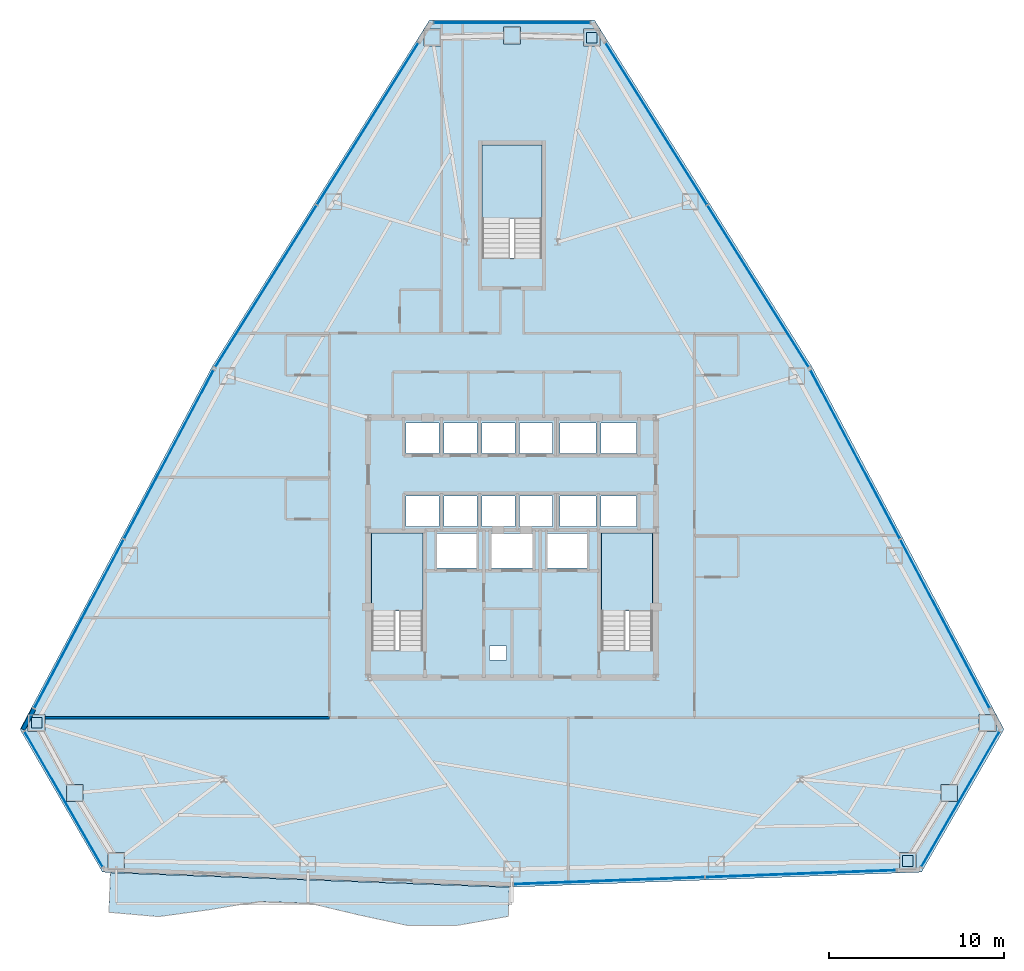
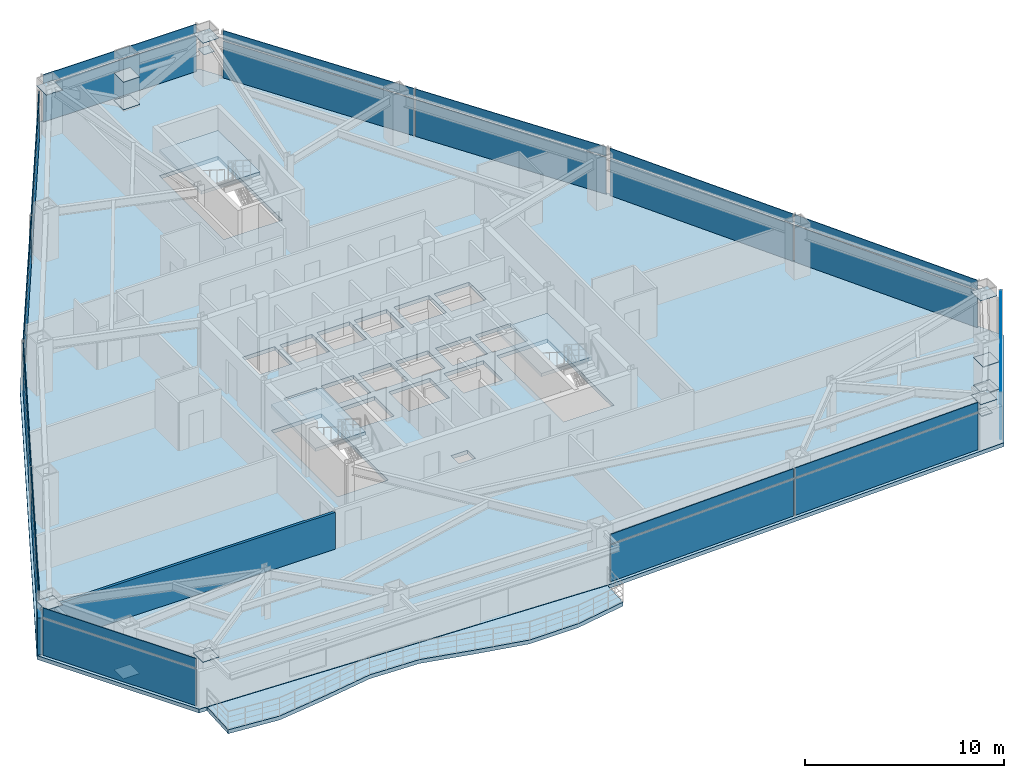
# One storey, part 8 of 13: 41 plates, 5 slabs, 2 walls, 11 elements without a shape of their own.
"""IFC4 building model written with IfcOpenShell, lengths in metres."""

from ifc_helpers import new_model, si_unit, direction, frame, frame_2d, origin, origin_2d, place, context, subcontext, project, spatial, polyline, rectangle, outline, extrude, source, transform, mapped, material, layer, layer_set, type_object, type_shapes, element, aggregate, save


model = new_model("IFC4")

# Units and contexts
model_context = context("Model", 3, precision=1e-05, world=origin(), true_north=direction((0.0, 1.0)))
body_context = subcontext(model_context, "Body", "Model", "MODEL_VIEW")
ifc_project = project(units=[si_unit("LENGTHUNIT", "METRE"), si_unit("AREAUNIT", "SQUARE_METRE"), si_unit("VOLUMEUNIT", "CUBIC_METRE"), si_unit("PLANEANGLEUNIT", "RADIAN"), si_unit("MASSUNIT", "GRAM", prefix="KILO")], contexts=[model_context])

# Site, building, storey
site_placement = place(None, origin())
site = spatial("IfcSite", under=ifc_project, at=site_placement, CompositionType="ELEMENT")
building_placement = place(site_placement, origin())
building = spatial("IfcBuilding", under=site, at=building_placement, Name="Varakhsha Concourse Tower", CompositionType="ELEMENT")
storey_placement = place(building_placement, frame((0.0, 0.0, 95.800048828125)))
storey = spatial("IfcBuildingStorey", under=building, at=storey_placement, Name="L27", CompositionType="ELEMENT", Elevation=95.800048828125)

# Slab
ifc_material_1 = material(Name="Concrete fc 45 MPa", Category="concrete")
ifc_layer_1 = layer(ifc_material_1, 0.22998046875, Name="SL-FLR-230")
ifc_layer_set_1 = layer_set([ifc_layer_1], Name="Concrete fc 45 MPa")
slab_type_1 = type_object("IfcSlabType", Name="SL-FLR-230", PredefinedType="FLOOR", material=ifc_layer_set_1)
slab_1_placement = place(storey_placement, frame((0.0, 0.0, -0.22998046875)))
element("IfcSlab", 1, at=slab_1_placement, inside=storey, type_object=slab_type_1, Name="L27 Composite Structural Slab", PredefinedType="FLOOR", context=body_context, shape_type="SweptSolid", body=[
    extrude(outline(polyline([(44.699951171875, 53.859375), (35.300048828125, 53.859375), (22.8955078125, 34.0751953125), (11.964111328125, 13.440673828125), (16.664306640625, 5.300048828125), (40.0, 4.449462890625), (63.335693359375, 5.300048828125), (68.035888671875, 13.440673828125), (57.1044921875, 34.0751953125), (44.699951171875, 53.859375)]), holes=[polyline([(34.919921875, 17.93994140625), (34.919921875, 24.6298828125), (32.0, 24.6298828125), (32.0, 17.93994140625), (34.919921875, 17.93994140625)]), polyline([(48.02001953125, 17.93994140625), (48.02001953125, 24.6298828125), (45.10009765625, 24.6298828125), (45.10009765625, 17.93994140625), (48.02001953125, 17.93994140625)]), polyline([(41.699951171875, 40.300048828125), (41.699951171875, 46.75), (38.300048828125, 46.75), (38.300048828125, 40.300048828125), (41.699951171875, 40.300048828125)]), polyline([(33.9599609375, 29.159912109375), (35.840087890625, 29.159912109375), (35.840087890625, 30.89990234375), (33.9599609375, 30.89990234375), (33.9599609375, 29.159912109375)]), polyline([(36.1201171875, 29.159912109375), (38.0, 29.159912109375), (38.0, 30.89990234375), (36.1201171875, 30.89990234375), (36.1201171875, 29.159912109375)]), polyline([(38.280029296875, 29.159912109375), (40.159912109375, 29.159912109375), (40.159912109375, 30.89990234375), (38.280029296875, 30.89990234375), (38.280029296875, 29.159912109375)]), polyline([(40.43994140625, 29.159912109375), (42.320068359375, 29.159912109375), (42.320068359375, 30.89990234375), (40.43994140625, 30.89990234375), (40.43994140625, 29.159912109375)]), polyline([(33.9599609375, 25.0), (35.840087890625, 25.0), (35.840087890625, 26.739990234375), (33.9599609375, 26.739990234375), (33.9599609375, 25.0)]), polyline([(36.1201171875, 25.0), (38.0, 25.0), (38.0, 26.739990234375), (36.1201171875, 26.739990234375), (36.1201171875, 25.0)]), polyline([(38.280029296875, 25.0), (40.159912109375, 25.0), (40.159912109375, 26.739990234375), (38.280029296875, 26.739990234375), (38.280029296875, 25.0)]), polyline([(40.43994140625, 25.0), (42.320068359375, 25.0), (42.320068359375, 26.739990234375), (40.43994140625, 26.739990234375), (40.43994140625, 25.0)]), polyline([(42.739990234375, 29.159912109375), (44.780029296875, 29.159912109375), (44.780029296875, 30.89990234375), (42.739990234375, 30.89990234375), (42.739990234375, 29.159912109375)]), polyline([(45.06005859375, 29.159912109375), (47.10009765625, 29.159912109375), (47.10009765625, 30.89990234375), (45.06005859375, 30.89990234375), (45.06005859375, 29.159912109375)]), polyline([(42.739990234375, 25.0), (44.780029296875, 25.0), (44.780029296875, 26.739990234375), (42.739990234375, 26.739990234375), (42.739990234375, 25.0)]), polyline([(45.06005859375, 25.0), (47.10009765625, 25.0), (47.10009765625, 26.739990234375), (45.06005859375, 26.739990234375), (45.06005859375, 25.0)]), polyline([(35.7099609375, 22.639892578125), (37.989990234375, 22.639892578125), (37.989990234375, 24.60009765625), (35.7099609375, 24.60009765625), (35.7099609375, 22.639892578125)]), polyline([(42.010009765625, 22.639892578125), (44.2900390625, 22.639892578125), (44.2900390625, 24.60009765625), (42.010009765625, 24.60009765625), (42.010009765625, 22.639892578125)]), polyline([(38.81005859375, 22.639892578125), (41.18994140625, 22.639892578125), (41.18994140625, 24.60009765625), (38.81005859375, 24.60009765625), (38.81005859375, 22.639892578125)]), polyline([(38.719970703125, 17.39990234375), (39.679931640625, 17.39990234375), (39.679931640625, 18.199951171875), (38.719970703125, 18.199951171875), (38.719970703125, 17.39990234375)])]), origin(), (0.0, 0.0, 1.0), 0.22998046875),
])

# Stair, slab
stair_type_1 = type_object("IfcStairType", Name="ST-DOGLEG-1360", PredefinedType="HALF_TURN_STAIR", material=ifc_material_1)
stair_1_placement = place(storey_placement, origin())
stair_1 = element("IfcStair", 2, at=stair_1_placement, inside=storey, type_object=stair_type_1, Name="L27 Protected Exit Stair ST1", PredefinedType="HALF_TURN_STAIR")
ifc_layer_2 = layer(ifc_material_1, 0.199951171875, Name="SL-LAND-200")
ifc_layer_set_2 = layer_set([ifc_layer_2], Name="Concrete fc 45 MPa")
slab_type_2 = type_object("IfcSlabType", Name="SL-LAND-200", PredefinedType="LANDING", material=ifc_layer_set_2)
slab_2_placement = place(storey_placement, frame((0.0, 0.0, 1.39990234375)))
slab_2 = element("IfcSlab", 3, at=slab_2_placement, type_object=slab_type_2, Name="ST1 landing 1", PredefinedType="LANDING", context=body_context, shape_type="SweptSolid", body=[
    extrude(outline(polyline([(34.919921875, 20.179931640625), (34.919921875, 24.6298828125), (32.0, 24.6298828125), (32.0, 20.179931640625), (34.919921875, 20.179931640625)])), origin(), (0.0, 0.0, 1.0), 0.199951171875),
])
aggregate(stair_1, [slab_2])

stair_2_placement = place(storey_placement, origin())
stair_2 = element("IfcStair", 4, at=stair_2_placement, inside=storey, type_object=stair_type_1, Name="L27 Protected Exit Stair ST2", PredefinedType="HALF_TURN_STAIR")
slab_3_placement = place(storey_placement, frame((0.0, 0.0, 1.39990234375)))
slab_3 = element("IfcSlab", 5, at=slab_3_placement, type_object=slab_type_2, Name="ST2 landing 1", PredefinedType="LANDING", context=body_context, shape_type="SweptSolid", body=[
    extrude(outline(polyline([(48.02001953125, 20.179931640625), (48.02001953125, 24.6298828125), (45.10009765625, 24.6298828125), (45.10009765625, 20.179931640625), (48.02001953125, 20.179931640625)])), origin(), (0.0, 0.0, 1.0), 0.199951171875),
])
aggregate(stair_2, [slab_3])

stair_type_2 = type_object("IfcStairType", Name="ST-DOGLEG-1600", PredefinedType="HALF_TURN_STAIR", material=ifc_material_1)
stair_3_placement = place(storey_placement, origin())
stair_3 = element("IfcStair", 6, at=stair_3_placement, inside=storey, type_object=stair_type_2, Name="L27 Protected Exit Stair ST5", PredefinedType="HALF_TURN_STAIR")
slab_4_placement = place(storey_placement, frame((0.0, 0.0, 1.39990234375)))
slab_4 = element("IfcSlab", 7, at=slab_4_placement, type_object=slab_type_2, Name="ST5 landing 1", PredefinedType="LANDING", context=body_context, shape_type="SweptSolid", body=[
    extrude(outline(polyline([(41.699951171875, 42.5400390625), (41.699951171875, 46.75), (38.300048828125, 46.75), (38.300048828125, 42.5400390625), (41.699951171875, 42.5400390625)])), origin(), (0.0, 0.0, 1.0), 0.199951171875),
])
aggregate(stair_3, [slab_4])

# Slab
ifc_layer_3 = layer(ifc_material_1, 0.239990234375, Name="SL-TERR-240")
ifc_layer_set_3 = layer_set([ifc_layer_3], Name="Concrete fc 45 MPa")
slab_type_3 = type_object("IfcSlabType", Name="SL-TERR-240", PredefinedType="FLOOR", material=ifc_layer_set_3)
slab_5_placement = place(storey_placement, frame((0.0, 0.0, -0.239990234375)))
element("IfcSlab", 8, at=slab_5_placement, inside=storey, type_object=slab_type_3, Name="L27 Hotel Wave Sky-Loggia Balcony", PredefinedType="FLOOR", context=body_context, shape_type="SweptSolid", body=[
    extrude(outline(polyline([(17.11328125, 5.2685546875), (39.849609375, 4.43994140625), (39.7890625, 2.780517578125), (36.9248046875, 2.270751953125), (34.078369140625, 2.25390625), (31.2548828125, 2.865234375), (28.433349609375, 3.53466796875), (25.5908203125, 3.626708984375), (22.727783203125, 3.154296875), (19.867919921875, 2.764404296875), (17.031005859375, 3.010986328125), (17.11328125, 5.2685546875)])), origin(), (0.0, 0.0, 1.0), 0.239990234375),
])

# Plates
ifc_material_2 = material(Name="Structural Steel ASTM A572 Grade 50", Category="steel")
ifc_layer_4 = layer(ifc_material_2, 0.030029296875, Name="PL-ENDCAP-950")
ifc_layer_set_4 = layer_set([ifc_layer_4], Name="Structural Steel ASTM A572 Grade 50")
plate_type_1 = type_object("IfcPlateType", Name="PL-ENDCAP-950", PredefinedType="USERDEFINED", material=ifc_layer_set_4)
shared_shape_1 = source(origin(), body_context, "Body", "SweptSolid", [
    extrude(rectangle(XDim=0.949951171875, YDim=0.949951171875, at=origin_2d()), origin(), (0.0, 0.0, 1.0), 0.030029296875),
])
type_shapes(plate_type_1, [shared_shape_1])
for number, where, z_axis, x_axis, name in (
    (9, (40.0, 52.9794921875, 0.10498046875), (0.0, 0.0, 1.0), (1.0, 0.0, 0.0), "Hollow Section End Cap GP-NODE-L27-0253"),
    (10, (44.54150390625, 52.85986328125, 2.65478515625), (0.0, 0.0, 1.0), (1.0, 0.0, 0.0), "Hollow Section End Cap GP-NODE-L27-0254"),
    (11, (35.45849609375, 52.85986328125, 2.65478515625), (0.0, 0.0, 1.0), (1.0, 0.0, 0.0), "Hollow Section End Cap GP-NODE-L27-0255"),
    (12, (15.076416015625, 9.810302734375, 0.10498046875), (0.0, 0.0, 1.0), (1.0, 0.0, 0.0), "Hollow Section End Cap GP-NODE-L27-0256"),
    (13, (12.908935546875, 13.80322265625, 2.65478515625), (0.0, 0.0, 1.0), (1.0, 0.0, 0.0), "Hollow Section End Cap GP-NODE-L27-0257"),
    (14, (17.45068359375, 5.93701171875, 2.65478515625), (0.0, 0.0, 1.0), (1.0, 0.0, 0.0), "Hollow Section End Cap GP-NODE-L27-0258"),
    (15, (64.923583984375, 9.810302734375, 0.10498046875), (0.0, 0.0, 1.0), (1.0, 0.0, 0.0), "Hollow Section End Cap GP-NODE-L27-0259"),
    (16, (62.54931640625, 5.93701171875, 2.65478515625), (0.0, 0.0, 1.0), (1.0, 0.0, 0.0), "Hollow Section End Cap GP-NODE-L27-0260"),
    (17, (67.091064453125, 13.80322265625, 2.65478515625), (0.0, 0.0, 1.0), (1.0, 0.0, 0.0), "Hollow Section End Cap GP-NODE-L27-0261"),
    (18, (40.0, 52.9794921875, 1.78515625), (0.0, 0.0, 1.0), (1.0, 0.0, 0.0), "Hollow Section End Cap GP-NODE-L27-0262"),
    (19, (15.076416015625, 9.810302734375, 1.78515625), (0.0, 0.0, 1.0), (1.0, 0.0, 0.0), "Hollow Section End Cap GP-NODE-L27-0263"),
    (20, (64.923583984375, 9.810302734375, 1.78515625), (0.0, 0.0, 1.0), (1.0, 0.0, 0.0), "Hollow Section End Cap GP-NODE-L27-0264"),
):
    element("IfcPlate", number, at=place(storey_placement, frame(where, z_axis=z_axis, x_axis=x_axis)), inside=storey, type_object=plate_type_1, Name=name, ObjectType="END PLATE", PredefinedType="USERDEFINED", context=body_context, shape_type="MappedRepresentation", body=[
        mapped(shared_shape_1, transform((0.0, 0.0, 0.0), scale=1.0)),
    ])
ifc_layer_5 = layer(ifc_material_2, 0.030029296875, Name="PL-BASE-600")
ifc_layer_set_5 = layer_set([ifc_layer_5], Name="Structural Steel ASTM A572 Grade 50")
plate_type_2 = type_object("IfcPlateType", Name="PL-BASE-600", PredefinedType="SHEET", material=ifc_layer_set_5)
shared_shape_2 = source(origin(), body_context, "Body", "SweptSolid", [
    extrude(rectangle(XDim=0.60009765625, YDim=0.60009765625, at=origin_2d()), origin(), (0.0, 0.0, 1.0), 0.030029296875),
])
type_shapes(plate_type_2, [shared_shape_2])
for number, where, z_axis, x_axis, name in (
    (21, (44.54150390625, 52.85986328125, 1.78515625), (0.0, 0.0, 1.0), (1.0, 0.0, 0.0), "Hollow Section End Cap BP-WTIE-L27-1"),
    (22, (12.908935546875, 13.80322265625, 1.78515625), (0.0, 0.0, 1.0), (1.0, 0.0, 0.0), "Hollow Section End Cap BP-WTIE-L27-2"),
    (23, (62.54931640625, 5.93701171875, 1.78515625), (0.0, 0.0, 1.0), (1.0, 0.0, 0.0), "Hollow Section End Cap BP-WTIE-L27-3"),
):
    element("IfcPlate", number, at=place(storey_placement, frame(where, z_axis=z_axis, x_axis=x_axis)), inside=storey, type_object=plate_type_2, Name=name, PredefinedType="SHEET", context=body_context, shape_type="MappedRepresentation", body=[
        mapped(shared_shape_2, transform((0.0, 0.0, 0.0), scale=1.0)),
    ])

# Curtain wall, plate
ifc_material_3 = material(Name="Anodised Bronze Architectural Aluminium AA 6063-T6", Category="aluminium")
ifc_layer_6 = layer(ifc_material_3, 0.199951171875, Name="CW-SYS-03")
ifc_layer_set_6 = layer_set([ifc_layer_6], Name="Anodised Bronze Architectural Aluminium AA 6063-T6")
curtain_wall_type = type_object("IfcCurtainWallType", Name="CW-SYS-03", PredefinedType="NOTDEFINED", material=ifc_layer_set_6)
curtain_wall_1_placement = place(storey_placement, origin())
curtain_wall_1 = element("IfcCurtainWall", 24, at=curtain_wall_1_placement, inside=storey, type_object=curtain_wall_type, Name="L27 Chamfer Curtain Wall F1", PredefinedType="NOTDEFINED")
ifc_material_4 = material(Name="Insulated Anodised Bronze Aluminium Spandrel 36 mm", Category="aluminium")
ifc_layer_7 = layer(ifc_material_4, 0.035888671875, Name="CWP-SPN-36")
ifc_layer_set_7 = layer_set([ifc_layer_7], Name="Insulated Anodised Bronze Aluminium Spandrel 36 mm")
plate_type_3 = type_object("IfcPlateType", Name="CWP-SPN-36", PredefinedType="USERDEFINED", material=ifc_layer_set_7)
shared_shape_3 = source(origin(), body_context, "Body", "SweptSolid", [
    extrude(rectangle(XDim=8.881103515625, YDim=0.035888671875, at=origin_2d()), origin(), (0.0, 0.0, 1.0), 2.2509765625),
])
type_shapes(plate_type_3, [shared_shape_3])
plate_1_placement = place(storey_placement, frame((40.0, 53.699462890625, 0.034423828125), z_axis=(0.0, 0.0, 1.0), x_axis=(1.0, 0.0, 0.0)))
plate_1 = element("IfcPlate", 25, at=plate_1_placement, type_object=plate_type_3, Name="CW-L27-F1 Panel 00-00", ObjectType="SPANDREL", PredefinedType="USERDEFINED", context=body_context, shape_type="MappedRepresentation", body=[
    mapped(shared_shape_3, transform((0.0, 0.0, 0.0), scale=1.0)),
])

curtain_wall_2_placement = place(storey_placement, origin())
curtain_wall_2 = element("IfcCurtainWall", 26, at=curtain_wall_2_placement, inside=storey, type_object=curtain_wall_type, Name="L27 Chamfer Curtain Wall F4", PredefinedType="NOTDEFINED")
plate_2_placement = place(storey_placement, frame((14.452880859375, 9.4501953125, 0.034423828125), z_axis=(0.0, 0.0, 1.0), x_axis=(-0.5, 0.866025403784, 0.0)))
plate_2 = element("IfcPlate", 27, at=plate_2_placement, type_object=plate_type_3, Name="CW-L27-F4 Panel 00-00", ObjectType="SPANDREL", PredefinedType="USERDEFINED", context=body_context, shape_type="MappedRepresentation", body=[
    mapped(shared_shape_3, transform((0.0, 0.0, 0.0), scale=1.0)),
])

curtain_wall_3_placement = place(storey_placement, origin())
curtain_wall_3 = element("IfcCurtainWall", 28, at=curtain_wall_3_placement, inside=storey, type_object=curtain_wall_type, Name="L27 Chamfer Curtain Wall F7", PredefinedType="NOTDEFINED")
plate_3_placement = place(storey_placement, frame((65.547119140625, 9.4501953125, 0.034423828125), z_axis=(0.0, 0.0, 1.0), x_axis=(-0.5, -0.866025403784, 0.0)))
plate_3 = element("IfcPlate", 29, at=plate_3_placement, type_object=plate_type_3, Name="CW-L27-F7 Panel 00-00", ObjectType="SPANDREL", PredefinedType="USERDEFINED", context=body_context, shape_type="MappedRepresentation", body=[
    mapped(shared_shape_3, transform((0.0, 0.0, 0.0), scale=1.0)),
])

# Plate
ifc_material_5 = material(Name="Glazed Turquoise-Bronze Ceramic Spandrel Panel 38 mm", Category="ceramic")
ifc_layer_8 = layer(ifc_material_5, 0.0380859375, Name="CWP-SPN-38")
ifc_layer_set_8 = layer_set([ifc_layer_8], Name="Glazed Turquoise-Bronze Ceramic Spandrel Panel 38 mm")
plate_type_4 = type_object("IfcPlateType", Name="CWP-SPN-38", PredefinedType="USERDEFINED", material=ifc_layer_set_8)
shared_shape_4 = source(origin(), body_context, "Body", "SweptSolid", [
    extrude(rectangle(XDim=8.881103515625, YDim=0.0380859375, at=origin_2d()), origin(), (0.0, 0.0, 1.0), 0.5810546875),
])
plate_4_placement = place(storey_placement, frame((40.0, 53.699462890625, 2.3544921875), z_axis=(0.0, 0.0, 1.0), x_axis=(1.0, 0.0, 0.0)))
plate_4 = element("IfcPlate", 30, at=plate_4_placement, type_object=plate_type_4, Name="CW-L27-F1 Panel 00-01", ObjectType="SPANDREL", PredefinedType="USERDEFINED", context=body_context, shape_type="MappedRepresentation", body=[
    mapped(shared_shape_4, transform((0.0, 0.0, 0.0), scale=1.0)),
])

aggregate(curtain_wall_1, [plate_1, plate_4])

plate_5_placement = place(storey_placement, frame((14.452880859375, 9.4501953125, 2.3544921875), z_axis=(0.0, 0.0, 1.0), x_axis=(-0.5, 0.866025403784, 0.0)))
plate_5 = element("IfcPlate", 31, at=plate_5_placement, type_object=plate_type_4, Name="CW-L27-F4 Panel 00-01", ObjectType="SPANDREL", PredefinedType="USERDEFINED", context=body_context, shape_type="MappedRepresentation", body=[
    mapped(shared_shape_4, transform((0.0, 0.0, 0.0), scale=1.0)),
])

aggregate(curtain_wall_2, [plate_2, plate_5])

plate_6_placement = place(storey_placement, frame((65.547119140625, 9.4501953125, 2.3544921875), z_axis=(0.0, 0.0, 1.0), x_axis=(-0.5, -0.866025403784, 0.0)))
plate_6 = element("IfcPlate", 32, at=plate_6_placement, type_object=plate_type_4, Name="CW-L27-F7 Panel 00-01", ObjectType="SPANDREL", PredefinedType="USERDEFINED", context=body_context, shape_type="MappedRepresentation", body=[
    mapped(shared_shape_4, transform((0.0, 0.0, 0.0), scale=1.0)),
])

aggregate(curtain_wall_3, [plate_3, plate_6])

# Curtain wall, plates
curtain_wall_4_placement = place(storey_placement, origin())
curtain_wall_4 = element("IfcCurtainWall", 33, at=curtain_wall_4_placement, inside=storey, type_object=curtain_wall_type, Name="L27 Crystal Curtain Wall F2", PredefinedType="NOTDEFINED")
ifc_material_6 = material(Name="Low-E Triple Insulating Glass IGU 44 mm", Category="glass")
ifc_layer_9 = layer(ifc_material_6, 0.0439453125, Name="CWP-IGU-44")
ifc_layer_set_9 = layer_set([ifc_layer_9], Name="Low-E Triple Insulating Glass IGU 44 mm")
plate_type_5 = type_object("IfcPlateType", Name="CWP-IGU-44", PredefinedType="CURTAIN_PANEL", material=ifc_layer_set_9)
shared_shape_5 = source(origin(), body_context, "Body", "SweptSolid", [
    extrude(rectangle(XDim=10.8466796875, YDim=0.0439453125, at=origin_2d()), origin(), (0.0, 0.0, 1.0), 2.2509765625),
])
type_shapes(plate_type_5, [shared_shape_5])
plate_7_placement = place(storey_placement, frame((25.9755859375, 38.686279296875, 0.034423828125), z_axis=(0.0, 0.0, 1.0), x_axis=(0.531209317405, 0.847240615824, 0.0)))
plate_7 = element("IfcPlate", 34, at=plate_7_placement, type_object=plate_type_5, Name="CW-L27-F2 Panel 00-00", PredefinedType="CURTAIN_PANEL", context=body_context, shape_type="MappedRepresentation", body=[
    mapped(shared_shape_5, transform((0.0, 0.0, 0.0), scale=1.0)),
])
plate_8_placement = place(storey_placement, frame((31.779296875, 47.943115234375, 0.034423828125), z_axis=(0.0, 0.0, 1.0), x_axis=(0.531209317405, 0.847240615824, 0.0)))
plate_8 = element("IfcPlate", 35, at=plate_8_placement, type_object=plate_type_5, Name="CW-L27-F2 Panel 01-00", PredefinedType="CURTAIN_PANEL", context=body_context, shape_type="MappedRepresentation", body=[
    mapped(shared_shape_5, transform((0.0, 0.0, 0.0), scale=1.0)),
])

curtain_wall_5_placement = place(storey_placement, origin())
curtain_wall_5 = element("IfcCurtainWall", 36, at=curtain_wall_5_placement, inside=storey, type_object=curtain_wall_type, Name="L27 Crystal Curtain Wall F3", PredefinedType="NOTDEFINED")
plate_9_placement = place(storey_placement, frame((15.32763671875, 19.44775390625, 0.034423828125), z_axis=(0.0, 0.0, 1.0), x_axis=(0.468124153157, 0.883662705579, 0.0)))
plate_9 = element("IfcPlate", 37, at=plate_9_placement, type_object=plate_type_5, Name="CW-L27-F3 Panel 00-00", PredefinedType="CURTAIN_PANEL", context=body_context, shape_type="MappedRepresentation", body=[
    mapped(shared_shape_5, transform((0.0, 0.0, 0.0), scale=1.0)),
])
plate_10_placement = place(storey_placement, frame((20.442138671875, 29.102294921875, 0.034423828125), z_axis=(0.0, 0.0, 1.0), x_axis=(0.468124153157, 0.883662705579, 0.0)))
plate_10 = element("IfcPlate", 38, at=plate_10_placement, type_object=plate_type_5, Name="CW-L27-F3 Panel 01-00", PredefinedType="CURTAIN_PANEL", context=body_context, shape_type="MappedRepresentation", body=[
    mapped(shared_shape_5, transform((0.0, 0.0, 0.0), scale=1.0)),
])

curtain_wall_6_placement = place(storey_placement, origin())
curtain_wall_6 = element("IfcCurtainWall", 39, at=curtain_wall_6_placement, inside=storey, type_object=curtain_wall_type, Name="L27 Crystal Curtain Wall F6", PredefinedType="NOTDEFINED")
plate_11_placement = place(storey_placement, frame((56.45166015625, 5.209228515625, 0.034423828125), z_axis=(0.0, 0.0, 1.0), x_axis=(-0.999336427987, -0.03642394403, 0.0)))
plate_11 = element("IfcPlate", 40, at=plate_11_placement, type_object=plate_type_5, Name="CW-L27-F6 Panel 00-00", PredefinedType="CURTAIN_PANEL", context=body_context, shape_type="MappedRepresentation", body=[
    mapped(shared_shape_5, transform((0.0, 0.0, 0.0), scale=1.0)),
])
plate_12_placement = place(storey_placement, frame((45.533203125, 4.811279296875, 0.034423828125), z_axis=(0.0, 0.0, 1.0), x_axis=(-0.999336427987, -0.03642394403, 0.0)))
plate_12 = element("IfcPlate", 41, at=plate_12_placement, type_object=plate_type_5, Name="CW-L27-F6 Panel 01-00", PredefinedType="CURTAIN_PANEL", context=body_context, shape_type="MappedRepresentation", body=[
    mapped(shared_shape_5, transform((0.0, 0.0, 0.0), scale=1.0)),
])

curtain_wall_7_placement = place(storey_placement, origin())
curtain_wall_7 = element("IfcCurtainWall", 42, at=curtain_wall_7_placement, inside=storey, type_object=curtain_wall_type, Name="L27 Crystal Curtain Wall F8", PredefinedType="NOTDEFINED")
plate_13_placement = place(storey_placement, frame((59.557861328125, 29.102294921875, 0.034423828125), z_axis=(0.0, 0.0, 1.0), x_axis=(0.468124153157, -0.883662705579, 0.0)))
plate_13 = element("IfcPlate", 43, at=plate_13_placement, type_object=plate_type_5, Name="CW-L27-F8 Panel 00-00", PredefinedType="CURTAIN_PANEL", context=body_context, shape_type="MappedRepresentation", body=[
    mapped(shared_shape_5, transform((0.0, 0.0, 0.0), scale=1.0)),
])
plate_14_placement = place(storey_placement, frame((64.67236328125, 19.44775390625, 0.034423828125), z_axis=(0.0, 0.0, 1.0), x_axis=(0.468124153157, -0.883662705579, 0.0)))
plate_14 = element("IfcPlate", 44, at=plate_14_placement, type_object=plate_type_5, Name="CW-L27-F8 Panel 01-00", PredefinedType="CURTAIN_PANEL", context=body_context, shape_type="MappedRepresentation", body=[
    mapped(shared_shape_5, transform((0.0, 0.0, 0.0), scale=1.0)),
])

curtain_wall_8_placement = place(storey_placement, origin())
curtain_wall_8 = element("IfcCurtainWall", 45, at=curtain_wall_8_placement, inside=storey, type_object=curtain_wall_type, Name="L27 Crystal Curtain Wall F9", PredefinedType="NOTDEFINED")
plate_15_placement = place(storey_placement, frame((48.220703125, 47.943115234375, 0.034423828125), z_axis=(0.0, 0.0, 1.0), x_axis=(0.531209317405, -0.847240615824, 0.0)))
plate_15 = element("IfcPlate", 46, at=plate_15_placement, type_object=plate_type_5, Name="CW-L27-F9 Panel 00-00", PredefinedType="CURTAIN_PANEL", context=body_context, shape_type="MappedRepresentation", body=[
    mapped(shared_shape_5, transform((0.0, 0.0, 0.0), scale=1.0)),
])
plate_16_placement = place(storey_placement, frame((54.0244140625, 38.686279296875, 0.034423828125), z_axis=(0.0, 0.0, 1.0), x_axis=(0.531209317405, -0.847240615824, 0.0)))
plate_16 = element("IfcPlate", 47, at=plate_16_placement, type_object=plate_type_5, Name="CW-L27-F9 Panel 01-00", PredefinedType="CURTAIN_PANEL", context=body_context, shape_type="MappedRepresentation", body=[
    mapped(shared_shape_5, transform((0.0, 0.0, 0.0), scale=1.0)),
])

# Plate
shared_shape_6 = source(origin(), body_context, "Body", "SweptSolid", [
    extrude(rectangle(XDim=10.8466796875, YDim=0.0380859375, at=origin_2d()), origin(), (0.0, 0.0, 1.0), 0.5810546875),
])
type_shapes(plate_type_4, [shared_shape_4, shared_shape_6])
plate_17_placement = place(storey_placement, frame((25.9755859375, 38.686279296875, 2.3544921875), z_axis=(0.0, 0.0, 1.0), x_axis=(0.531209317405, 0.847240615824, 0.0)))
plate_17 = element("IfcPlate", 48, at=plate_17_placement, type_object=plate_type_4, Name="CW-L27-F2 Panel 00-01", ObjectType="SPANDREL", PredefinedType="USERDEFINED", context=body_context, shape_type="MappedRepresentation", body=[
    mapped(shared_shape_6, transform((0.0, 0.0, 0.0), scale=1.0)),
])

plate_18_placement = place(storey_placement, frame((31.779296875, 47.943115234375, 2.3544921875), z_axis=(0.0, 0.0, 1.0), x_axis=(0.531209317405, 0.847240615824, 0.0)))
plate_18 = element("IfcPlate", 49, at=plate_18_placement, type_object=plate_type_4, Name="CW-L27-F2 Panel 01-01", ObjectType="SPANDREL", PredefinedType="USERDEFINED", context=body_context, shape_type="MappedRepresentation", body=[
    mapped(shared_shape_6, transform((0.0, 0.0, 0.0), scale=1.0)),
])

aggregate(curtain_wall_4, [plate_7, plate_17, plate_8, plate_18])

plate_19_placement = place(storey_placement, frame((15.32763671875, 19.44775390625, 2.3544921875), z_axis=(0.0, 0.0, 1.0), x_axis=(0.468124153157, 0.883662705579, 0.0)))
plate_19 = element("IfcPlate", 50, at=plate_19_placement, type_object=plate_type_4, Name="CW-L27-F3 Panel 00-01", ObjectType="SPANDREL", PredefinedType="USERDEFINED", context=body_context, shape_type="MappedRepresentation", body=[
    mapped(shared_shape_6, transform((0.0, 0.0, 0.0), scale=1.0)),
])

plate_20_placement = place(storey_placement, frame((20.442138671875, 29.102294921875, 2.3544921875), z_axis=(0.0, 0.0, 1.0), x_axis=(0.468124153157, 0.883662705579, 0.0)))
plate_20 = element("IfcPlate", 51, at=plate_20_placement, type_object=plate_type_4, Name="CW-L27-F3 Panel 01-01", ObjectType="SPANDREL", PredefinedType="USERDEFINED", context=body_context, shape_type="MappedRepresentation", body=[
    mapped(shared_shape_6, transform((0.0, 0.0, 0.0), scale=1.0)),
])

aggregate(curtain_wall_5, [plate_9, plate_19, plate_10, plate_20])

plate_21_placement = place(storey_placement, frame((56.45166015625, 5.209228515625, 2.3544921875), z_axis=(0.0, 0.0, 1.0), x_axis=(-0.999336427987, -0.03642394403, 0.0)))
plate_21 = element("IfcPlate", 52, at=plate_21_placement, type_object=plate_type_4, Name="CW-L27-F6 Panel 00-01", ObjectType="SPANDREL", PredefinedType="USERDEFINED", context=body_context, shape_type="MappedRepresentation", body=[
    mapped(shared_shape_6, transform((0.0, 0.0, 0.0), scale=1.0)),
])

plate_22_placement = place(storey_placement, frame((45.533203125, 4.811279296875, 2.3544921875), z_axis=(0.0, 0.0, 1.0), x_axis=(-0.999336427987, -0.03642394403, 0.0)))
plate_22 = element("IfcPlate", 53, at=plate_22_placement, type_object=plate_type_4, Name="CW-L27-F6 Panel 01-01", ObjectType="SPANDREL", PredefinedType="USERDEFINED", context=body_context, shape_type="MappedRepresentation", body=[
    mapped(shared_shape_6, transform((0.0, 0.0, 0.0), scale=1.0)),
])

aggregate(curtain_wall_6, [plate_11, plate_21, plate_12, plate_22])

plate_23_placement = place(storey_placement, frame((59.557861328125, 29.102294921875, 2.3544921875), z_axis=(0.0, 0.0, 1.0), x_axis=(0.468124153157, -0.883662705579, 0.0)))
plate_23 = element("IfcPlate", 54, at=plate_23_placement, type_object=plate_type_4, Name="CW-L27-F8 Panel 00-01", ObjectType="SPANDREL", PredefinedType="USERDEFINED", context=body_context, shape_type="MappedRepresentation", body=[
    mapped(shared_shape_6, transform((0.0, 0.0, 0.0), scale=1.0)),
])

plate_24_placement = place(storey_placement, frame((64.67236328125, 19.44775390625, 2.3544921875), z_axis=(0.0, 0.0, 1.0), x_axis=(0.468124153157, -0.883662705579, 0.0)))
plate_24 = element("IfcPlate", 55, at=plate_24_placement, type_object=plate_type_4, Name="CW-L27-F8 Panel 01-01", ObjectType="SPANDREL", PredefinedType="USERDEFINED", context=body_context, shape_type="MappedRepresentation", body=[
    mapped(shared_shape_6, transform((0.0, 0.0, 0.0), scale=1.0)),
])

aggregate(curtain_wall_7, [plate_13, plate_23, plate_14, plate_24])

plate_25_placement = place(storey_placement, frame((48.220703125, 47.943115234375, 2.3544921875), z_axis=(0.0, 0.0, 1.0), x_axis=(0.531209317405, -0.847240615824, 0.0)))
plate_25 = element("IfcPlate", 56, at=plate_25_placement, type_object=plate_type_4, Name="CW-L27-F9 Panel 00-01", ObjectType="SPANDREL", PredefinedType="USERDEFINED", context=body_context, shape_type="MappedRepresentation", body=[
    mapped(shared_shape_6, transform((0.0, 0.0, 0.0), scale=1.0)),
])

plate_26_placement = place(storey_placement, frame((54.0244140625, 38.686279296875, 2.3544921875), z_axis=(0.0, 0.0, 1.0), x_axis=(0.531209317405, -0.847240615824, 0.0)))
plate_26 = element("IfcPlate", 57, at=plate_26_placement, type_object=plate_type_4, Name="CW-L27-F9 Panel 01-01", ObjectType="SPANDREL", PredefinedType="USERDEFINED", context=body_context, shape_type="MappedRepresentation", body=[
    mapped(shared_shape_6, transform((0.0, 0.0, 0.0), scale=1.0)),
])

aggregate(curtain_wall_8, [plate_15, plate_25, plate_16, plate_26])

# Walls
ifc_layer_10 = layer(ifc_material_1, 0.239990234375, Name="WL-EXT-CRN-240")
ifc_layer_set_10 = layer_set([ifc_layer_10], Name="Concrete fc 45 MPa")
wall_type_1 = type_object("IfcWallType", Name="WL-EXT-CRN-240", PredefinedType="SHEAR", material=ifc_layer_set_10)
wall_1_placement = place(storey_placement, frame((12.752685546875, 14.58740234375, 0.0), z_axis=(0.0, 0.0, 1.0), x_axis=(-0.468058524958, -0.883697469281, 0.0)))
element("IfcWall", 58, at=wall_1_placement, inside=storey, type_object=wall_type_1, Name="L27 Wind-Corner Shoulder Wall F3", PredefinedType="SHEAR", context=body_context, shape_type="SweptSolid", body=[
    extrude(rectangle(XDim=1.3134765625, YDim=0.239990234375, at=frame_2d((0.65673828125, 0.0))), origin(), (0.0, 0.0, 1.0), 2.2529296875),
])
ifc_material_7 = material(Name="Fire-Rated Type X Gypsum Partition Assembly", Category="gypsum")
ifc_layer_11 = layer(ifc_material_7, 0.14990234375, Name="WL-PART-150")
ifc_layer_set_11 = layer_set([ifc_layer_11], Name="Fire-Rated Type X Gypsum Partition Assembly")
wall_type_2 = type_object("IfcWallType", Name="WL-PART-150", PredefinedType="PARTITIONING", material=ifc_layer_set_11)
wall_2_placement = place(storey_placement, frame((12.500244140625, 14.10009765625, 0.0), z_axis=(0.0, 0.0, 1.0), x_axis=(1.0, 0.0, 0.0)))
element("IfcWall", 59, at=wall_2_placement, inside=storey, type_object=wall_type_2, Name="L27 Wall HDIV-WB0-L27", PredefinedType="PARTITIONING", context=body_context, shape_type="SweptSolid", body=[
    extrude(rectangle(XDim=17.099853515625, YDim=0.14990234375, at=frame_2d((8.5498046875, 0.0))), origin(), (0.0, 0.0, 1.0), 2.258056640625),
])

save(model, "model.ifc")
